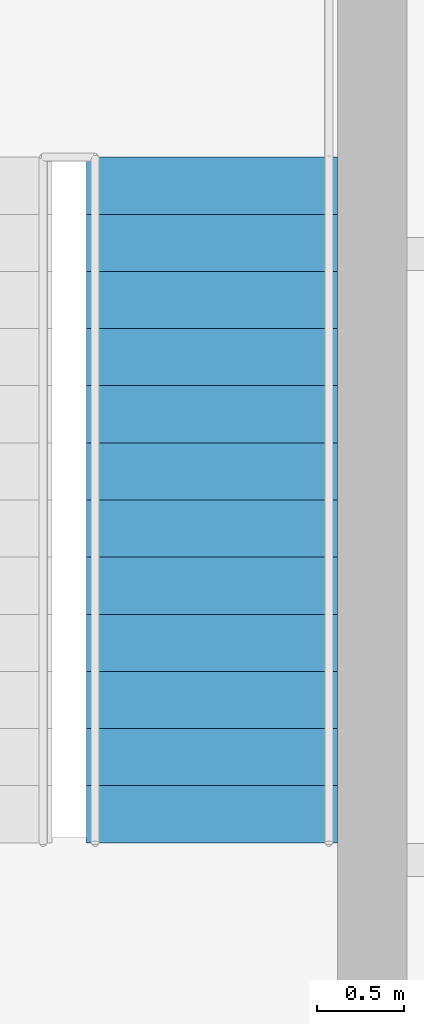
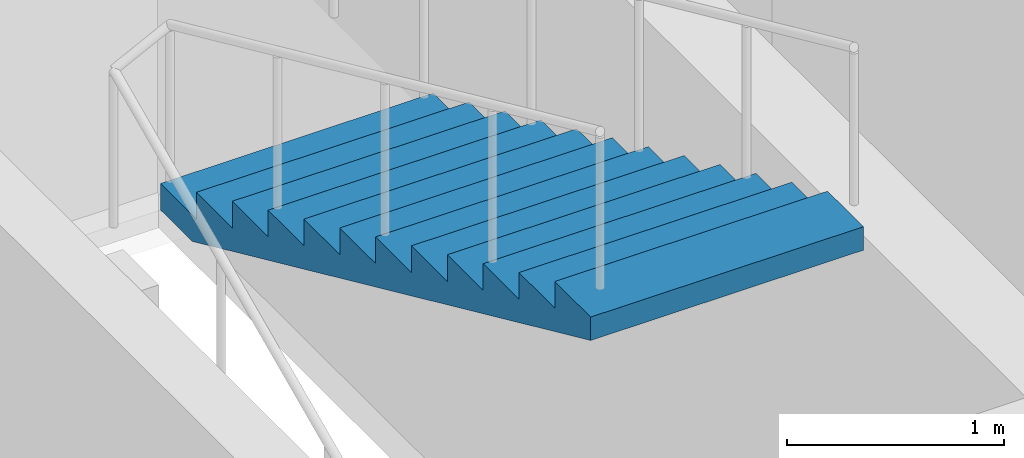
# One storey, part 9 of 10: 1 stair flight, 1 element without a shape of its own.
"""IFC4 building model written with IfcOpenShell, lengths in metres."""

from ifc_helpers import new_model, si_unit, direction, frame, origin, place, context, subcontext, project, spatial, polygons, material, type_object, element, aggregate, save


model = new_model("IFC4")

# Units and contexts
model_context = context("Model", 3, precision=1e-05, world=origin(), true_north=direction((0.0, 1.0)))
body_context = subcontext(model_context, "Body", "Model", "MODEL_VIEW")
ifc_project = project(units=[si_unit("LENGTHUNIT", "METRE"), si_unit("AREAUNIT", "SQUARE_METRE"), si_unit("VOLUMEUNIT", "CUBIC_METRE"), si_unit("PLANEANGLEUNIT", "RADIAN"), si_unit("MASSUNIT", "GRAM", prefix="KILO")], contexts=[model_context])

# Site, building, storey
site_placement = place(None, origin())
site = spatial("IfcSite", under=ifc_project, at=site_placement, CompositionType="ELEMENT")
building_placement = place(site_placement, origin())
building = spatial("IfcBuilding", under=site, at=building_placement, Name="Njiva Tower", CompositionType="ELEMENT")
storey_placement = place(building_placement, frame((0.0, 0.0, 253.2)))
storey = spatial("IfcBuildingStorey", under=building, at=storey_placement, Name="L57", CompositionType="ELEMENT", Elevation=253.2)

# Stair, stair flight
ifc_material = material(Name="Concrete C40/50", Category="concrete")
stair_type = type_object("IfcStairType", Name="ST3 Exit stair 1450", PredefinedType="HALF_TURN_STAIR", material=ifc_material)
stair_placement = place(storey_placement, origin())
stair = element("IfcStair", 1, at=stair_placement, inside=storey, type_object=stair_type, Name="Stair B", PredefinedType="HALF_TURN_STAIR")
stair_flight_type = type_object("IfcStairFlightType", Name="FL3 Stair flight 1450", PredefinedType="STRAIGHT", material=ifc_material)
stair_flight_placement = place(storey_placement, frame((13.375, 15.06, 1.95), z_axis=(0.0, 0.0, 1.0), x_axis=(0.0, -1.0, 0.0)))
stair_flight = element("IfcStairFlight", 2, at=stair_flight_placement, type_object=stair_flight_type, Name="ST-B flight 2", NumberOfRisers=13, NumberOfTreads=12, PredefinedType="STRAIGHT", RiserHeight=0.15, TreadLength=0.33, context=body_context, shape_type="Tessellation", body=[
    polygons([(0.0, 0.725, 0.0), (0.0, 0.3625, 0.0), (0.0, 0.0, 0.0), (0.0, -0.3625, 0.0), (0.0, -0.725, 0.0), (0.0, 0.725, 0.15), (0.0, 0.3625, 0.15), (0.0, 0.0, 0.15), (0.0, -0.3625, 0.15), (0.0, -0.725, 0.15), (0.33, 0.725, 0.15), (0.33, 0.3625, 0.15), (0.33, 0.0, 0.15), (0.33, -0.3625, 0.15), (0.33, -0.725, 0.15), (0.33, 0.725, 0.3), (0.33, 0.3625, 0.3), (0.33, 0.0, 0.3), (0.33, -0.3625, 0.3), (0.33, -0.725, 0.3), (0.66, 0.725, 0.3), (0.66, 0.3625, 0.3), (0.66, 0.0, 0.3), (0.66, -0.3625, 0.3), (0.66, -0.725, 0.3), (0.66, 0.725, 0.45), (0.66, 0.3625, 0.45), (0.66, 0.0, 0.45), (0.66, -0.3625, 0.45), (0.66, -0.725, 0.45), (0.99, 0.725, 0.45), (0.99, 0.3625, 0.45), (0.99, 0.0, 0.45), (0.99, -0.3625, 0.45), (0.99, -0.725, 0.45), (0.99, 0.725, 0.6), (0.99, 0.3625, 0.6), (0.99, 0.0, 0.6), (0.99, -0.3625, 0.6), (0.99, -0.725, 0.6), (1.32, 0.725, 0.6), (1.32, 0.3625, 0.6), (1.32, 0.0, 0.6), (1.32, -0.3625, 0.6), (1.32, -0.725, 0.6), (1.32, 0.725, 0.75), (1.32, 0.3625, 0.75), (1.32, 0.0, 0.75), (1.32, -0.3625, 0.75), (1.32, -0.725, 0.75), (1.65, 0.725, 0.75), (1.65, 0.3625, 0.75), (1.65, 0.0, 0.75), (1.65, -0.3625, 0.75), (1.65, -0.725, 0.75), (1.65, 0.725, 0.9), (1.65, 0.3625, 0.9), (1.65, 0.0, 0.9), (1.65, -0.3625, 0.9), (1.65, -0.725, 0.9), (1.98, 0.725, 0.9), (1.98, 0.3625, 0.9), (1.98, 0.0, 0.9), (1.98, -0.3625, 0.9), (1.98, -0.725, 0.9), (1.98, 0.725, 1.05), (1.98, 0.3625, 1.05), (1.98, 0.0, 1.05), (1.98, -0.3625, 1.05), (1.98, -0.725, 1.05), (2.31, 0.725, 1.05), (2.31, 0.3625, 1.05), (2.31, 0.0, 1.05), (2.31, -0.3625, 1.05), (2.31, -0.725, 1.05), (2.31, 0.725, 1.2), (2.31, 0.3625, 1.2), (2.31, 0.0, 1.2), (2.31, -0.3625, 1.2), (2.31, -0.725, 1.2), (2.64, 0.725, 1.2), (2.64, 0.3625, 1.2), (2.64, 0.0, 1.2), (2.64, -0.3625, 1.2), (2.64, -0.725, 1.2), (2.64, 0.725, 1.35), (2.64, 0.3625, 1.35), (2.64, 0.0, 1.35), (2.64, -0.3625, 1.35), (2.64, -0.725, 1.35), (2.97, 0.725, 1.35), (2.97, 0.3625, 1.35), (2.97, 0.0, 1.35), (2.97, -0.3625, 1.35), (2.97, -0.725, 1.35), (2.97, 0.725, 1.5), (2.97, 0.3625, 1.5), (2.97, 0.0, 1.5), (2.97, -0.3625, 1.5), (2.97, -0.725, 1.5), (3.3, 0.725, 1.5), (3.3, 0.3625, 1.5), (3.3, 0.0, 1.5), (3.3, -0.3625, 1.5), (3.3, -0.725, 1.5), (3.3, 0.725, 1.65), (3.3, 0.3625, 1.65), (3.3, 0.0, 1.65), (3.3, -0.3625, 1.65), (3.3, -0.725, 1.65), (3.63, 0.725, 1.65), (3.63, 0.3625, 1.65), (3.63, 0.0, 1.65), (3.63, -0.3625, 1.65), (3.63, -0.725, 1.65), (3.63, 0.725, 1.8), (3.63, 0.3625, 1.8), (3.63, 0.0, 1.8), (3.63, -0.3625, 1.8), (3.63, -0.725, 1.8), (3.96, 0.725, 1.8), (3.96, 0.3625, 1.8), (3.96, 0.0, 1.8), (3.96, -0.3625, 1.8), (3.96, -0.725, 1.8), (3.96, 0.725, 1.6682), (3.96, 0.3625, 1.6682), (3.96, 0.0, 1.6682), (3.96, -0.3625, 1.6682), (3.96, -0.725, 1.6682), (0.29, 0.725, 0.0), (0.29, 0.3625, 0.0), (0.29, 0.0, 0.0), (0.29, -0.3625, 0.0), (0.29, -0.725, 0.0)], [[[1, 6, 11, 16, 21, 26, 31, 36, 41, 46, 51, 56, 61, 66, 71, 76, 81, 86, 91, 96, 101, 106, 111, 116, 121, 126, 131]], [[135, 130, 125, 120, 115, 110, 105, 100, 95, 90, 85, 80, 75, 70, 65, 60, 55, 50, 45, 40, 35, 30, 25, 20, 15, 10, 5]], [[6, 1, 2, 7]], [[7, 2, 3, 8]], [[8, 3, 4, 9]], [[9, 4, 5, 10]], [[11, 6, 7, 12]], [[12, 7, 8, 13]], [[13, 8, 9, 14]], [[14, 9, 10, 15]], [[16, 11, 12, 17]], [[17, 12, 13, 18]], [[18, 13, 14, 19]], [[19, 14, 15, 20]], [[21, 16, 17, 22]], [[22, 17, 18, 23]], [[23, 18, 19, 24]], [[24, 19, 20, 25]], [[26, 21, 22, 27]], [[27, 22, 23, 28]], [[28, 23, 24, 29]], [[29, 24, 25, 30]], [[31, 26, 27, 32]], [[32, 27, 28, 33]], [[33, 28, 29, 34]], [[34, 29, 30, 35]], [[36, 31, 32, 37]], [[37, 32, 33, 38]], [[38, 33, 34, 39]], [[39, 34, 35, 40]], [[41, 36, 37, 42]], [[42, 37, 38, 43]], [[43, 38, 39, 44]], [[44, 39, 40, 45]], [[46, 41, 42, 47]], [[47, 42, 43, 48]], [[48, 43, 44, 49]], [[49, 44, 45, 50]], [[51, 46, 47, 52]], [[52, 47, 48, 53]], [[53, 48, 49, 54]], [[54, 49, 50, 55]], [[56, 51, 52, 57]], [[57, 52, 53, 58]], [[58, 53, 54, 59]], [[59, 54, 55, 60]], [[61, 56, 57, 62]], [[62, 57, 58, 63]], [[63, 58, 59, 64]], [[64, 59, 60, 65]], [[66, 61, 62, 67]], [[67, 62, 63, 68]], [[68, 63, 64, 69]], [[69, 64, 65, 70]], [[71, 66, 67, 72]], [[72, 67, 68, 73]], [[73, 68, 69, 74]], [[74, 69, 70, 75]], [[76, 71, 72, 77]], [[77, 72, 73, 78]], [[78, 73, 74, 79]], [[79, 74, 75, 80]], [[81, 76, 77, 82]], [[82, 77, 78, 83]], [[83, 78, 79, 84]], [[84, 79, 80, 85]], [[86, 81, 82, 87]], [[87, 82, 83, 88]], [[88, 83, 84, 89]], [[89, 84, 85, 90]], [[91, 86, 87, 92]], [[92, 87, 88, 93]], [[93, 88, 89, 94]], [[94, 89, 90, 95]], [[96, 91, 92, 97]], [[97, 92, 93, 98]], [[98, 93, 94, 99]], [[99, 94, 95, 100]], [[101, 96, 97, 102]], [[102, 97, 98, 103]], [[103, 98, 99, 104]], [[104, 99, 100, 105]], [[106, 101, 102, 107]], [[107, 102, 103, 108]], [[108, 103, 104, 109]], [[109, 104, 105, 110]], [[111, 106, 107, 112]], [[112, 107, 108, 113]], [[113, 108, 109, 114]], [[114, 109, 110, 115]], [[116, 111, 112, 117]], [[117, 112, 113, 118]], [[118, 113, 114, 119]], [[119, 114, 115, 120]], [[121, 116, 117, 122]], [[122, 117, 118, 123]], [[123, 118, 119, 124]], [[124, 119, 120, 125]], [[126, 121, 122, 127]], [[127, 122, 123, 128]], [[128, 123, 124, 129]], [[129, 124, 125, 130]], [[131, 126, 127, 132]], [[132, 127, 128, 133]], [[133, 128, 129, 134]], [[134, 129, 130, 135]], [[1, 131, 132, 2]], [[2, 132, 133, 3]], [[3, 133, 134, 4]], [[4, 134, 135, 5]]], closed=True),
])
aggregate(stair, [stair_flight])

save(model, "model.ifc")
